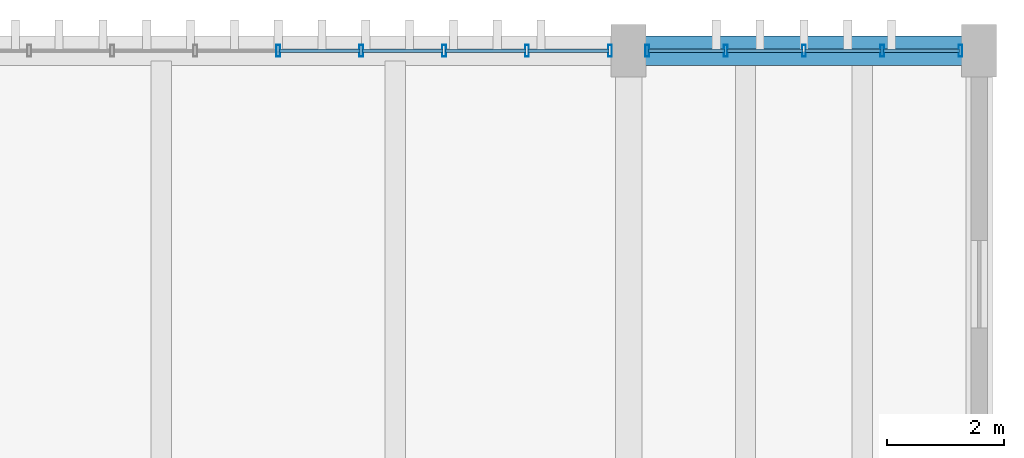
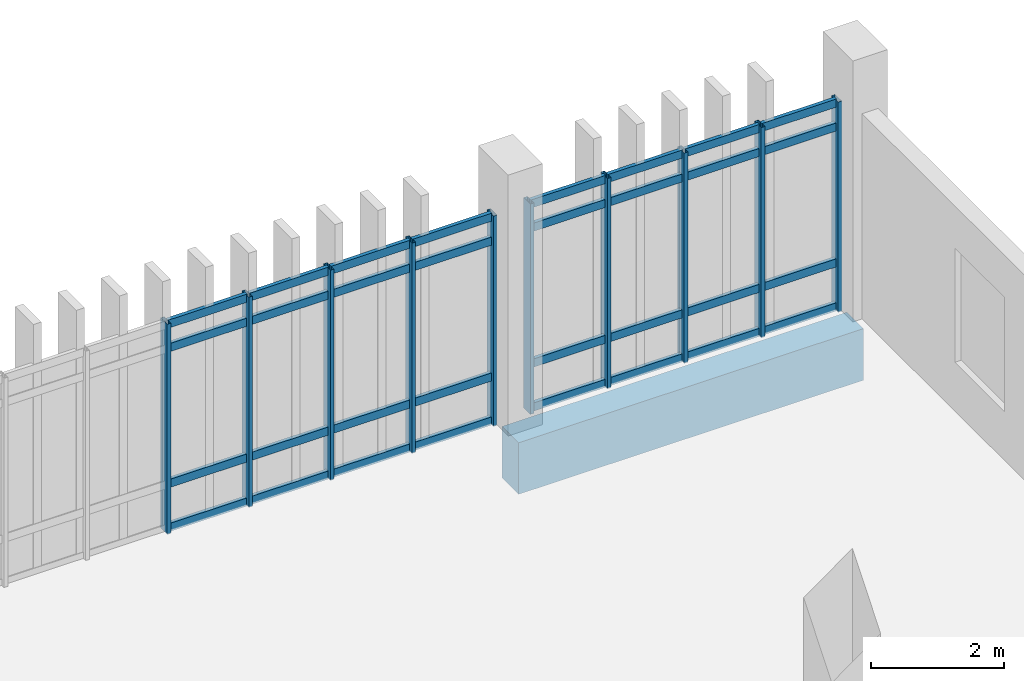
# One storey, part 59 of 87: 42 members, 1 beam, 2 elements without a shape of their own.
"""IFC4 building model written with IfcOpenShell, lengths in metres."""

import ifcopenshell
import ifcopenshell.guid

model = None  # the IFC model being written
_history = None  # IfcOwnerHistory: only IFC2X3 demands one
_inside = {}  # id of a spatial element -> (the spatial element, [elements in it])
_under = {}  # id of a project, library or spatial element -> (it, [spatial elements below it])
_declared = {}  # id of a project -> (the project, [libraries it declares])
_typed = {}  # id of a type object -> (the type object, [elements of that type])
_made_of = {}  # id of a material, layer set ... -> (it, [elements and type objects made of it])


def new_model(schema):
    """Start an empty IFC model of exactly this schema.

    Asked for "IFC4X3", IfcOpenShell would pick the latest addendum, in which some entities
    have other attributes; the version numbers below select the first issue.
    IFC2X3 requires an IfcOwnerHistory on every rooted entity: one is made here for all.
    """
    global model, _history
    if schema == "IFC4X3":
        model = ifcopenshell.file(schema_version=(4, 3, 0, 0))
    else:
        model = ifcopenshell.file(schema=schema)
    _inside.clear()
    _under.clear()
    _declared.clear()
    _typed.clear()
    _made_of.clear()
    _history = None
    if model.schema == "IFC2X3":
        org = make("IfcOrganization", Name="unknown")
        user = make(
            "IfcPersonAndOrganization",
            ThePerson=make("IfcPerson", FamilyName="unknown"),
            TheOrganization=org,
        )
        app = make(
            "IfcApplication",
            ApplicationDeveloper=org,
            Version="unknown",
            ApplicationFullName="unknown",
            ApplicationIdentifier="unknown",
        )
        _history = make(
            "IfcOwnerHistory",
            OwningUser=user,
            OwningApplication=app,
            ChangeAction="ADDED",
            CreationDate=0,
        )
    return model


def make(cls, **values):
    """One entity of the class cls with the attributes given. An attribute that is None is left unset."""
    return model.create_entity(
        cls, **{name: value for name, value in values.items() if value is not None}
    )


def rooted(cls, **values):
    """An entity with a GlobalId (a new one), such as an element, a storey or a relation."""
    return make(cls, GlobalId=ifcopenshell.guid.new(), OwnerHistory=_history, **values)


def si_unit(unit_type, name, prefix=None):
    """IfcSIUnit, for example si_unit("LENGTHUNIT", "METRE", prefix="MILLI")."""
    return make("IfcSIUnit", UnitType=unit_type, Prefix=prefix, Name=name)


def assignment(units):
    """IfcUnitAssignment: the units of a project."""
    return None if units is None else make("IfcUnitAssignment", Units=units)


def point(xyz):
    """IfcCartesianPoint."""
    return None if xyz is None else make("IfcCartesianPoint", Coordinates=xyz)


def direction(xyz):
    """IfcDirection."""
    return None if xyz is None else make("IfcDirection", DirectionRatios=xyz)


def frame(location, z_axis=None, x_axis=None):
    """IfcAxis2Placement3D, a coordinate frame: its origin and axes. An axis left out is left unset."""
    return make(
        "IfcAxis2Placement3D",
        Location=point(location),
        Axis=direction(z_axis),
        RefDirection=direction(x_axis),
    )


def frame_2d(location, x_axis=None):
    """IfcAxis2Placement2D, a coordinate frame in the plane: its origin and x axis."""
    return make(
        "IfcAxis2Placement2D", Location=point(location), RefDirection=direction(x_axis)
    )


def origin():
    """The frame at (0, 0, 0) with its axes left unset."""
    return frame((0.0, 0.0, 0.0))


def origin_2d():
    """The frame at (0, 0) in the plane with its x axis left unset."""
    return frame_2d((0.0, 0.0))


def place(relative_to, where):
    """IfcLocalPlacement: puts the frame where relative to a parent placement (None: the world)."""
    return make(
        "IfcLocalPlacement", PlacementRelTo=relative_to, RelativePlacement=where
    )


def context(
    kind, dimensions, precision=None, world=None, true_north=None, identifier=None
):
    """IfcGeometricRepresentationContext, for example the 3D "Model" context."""
    return make(
        "IfcGeometricRepresentationContext",
        ContextIdentifier=identifier,
        ContextType=kind,
        CoordinateSpaceDimension=dimensions,
        Precision=precision,
        WorldCoordinateSystem=world,
        TrueNorth=true_north,
    )


def subcontext(parent, identifier, kind, view, scale=None):
    """IfcGeometricRepresentationSubContext, for example "Body" below "Model"."""
    return make(
        "IfcGeometricRepresentationSubContext",
        ContextIdentifier=identifier,
        ContextType=kind,
        ParentContext=parent,
        TargetScale=scale,
        TargetView=view,
    )


def project(units=None, contexts=None):
    """IfcProject with its units and contexts."""
    return rooted(
        "IfcProject",
        Name="project",
        RepresentationContexts=contexts,
        UnitsInContext=assignment(units),
    )


def spatial(cls, under=None, at=None, **own):
    """A site, building, storey or space (cls), placed at a placement, below another one or the project."""
    s = rooted(cls, ObjectPlacement=at, **own)
    if under is not None:
        _under.setdefault(under.id(), (under, []))[1].append(s)
    return s


def profile(cls, at=None, kind="AREA", **sizes):
    """A parametric profile (cls). Its sizes go by their IFC names, for example OverallWidth=200.0."""
    return make(cls, ProfileType=kind, Position=at, **sizes)


def rectangle(**sizes):
    """IfcRectangleProfileDef."""
    return profile("IfcRectangleProfileDef", **sizes)


def hollow_rectangle(**sizes):
    """IfcRectangleHollowProfileDef."""
    return profile("IfcRectangleHollowProfileDef", **sizes)


def extrude(swept, where, along, depth):
    """IfcExtrudedAreaSolid: the profile swept, set in the frame where, extruded along a direction by depth."""
    return make(
        "IfcExtrudedAreaSolid",
        SweptArea=swept,
        Position=where,
        ExtrudedDirection=direction(along),
        Depth=depth,
    )


def shape(context_of_items, identifier, shape_type, items):
    """IfcShapeRepresentation: the items that make up one representation, for example the "Body"."""
    return make(
        "IfcShapeRepresentation",
        ContextOfItems=context_of_items,
        RepresentationIdentifier=identifier,
        RepresentationType=shape_type,
        Items=items,
    )


def material(Name=None, Category=None):
    """IfcMaterial."""
    return make("IfcMaterial", Name=Name, Category=Category)


def layer(
    of_material, thickness, ventilated=None, Name=None, Category=None, Priority=None
):
    """IfcMaterialLayer: one layer of a wall or slab, of a material (None: an air gap)."""
    return make(
        "IfcMaterialLayer",
        Material=of_material,
        LayerThickness=thickness,
        IsVentilated=ventilated,
        Name=Name,
        Category=Category,
        Priority=Priority,
    )


def layer_set(layers, Name=None):
    """IfcMaterialLayerSet."""
    return make("IfcMaterialLayerSet", MaterialLayers=layers, LayerSetName=Name)


def material_profile(
    of_material, cross_section, Name=None, Category=None, Priority=None
):
    """IfcMaterialProfile: a cross section and its material."""
    return make(
        "IfcMaterialProfile",
        Name=Name,
        Material=of_material,
        Profile=cross_section,
        Priority=Priority,
        Category=Category,
    )


def profile_set(profiles, Name=None, composite=None):
    """IfcMaterialProfileSet."""
    return make(
        "IfcMaterialProfileSet",
        Name=Name,
        MaterialProfiles=profiles,
        CompositeProfile=composite,
    )


def made_of(thing, what):
    """Note that an element or type object is made of a material, layer set ...; save() writes the relation."""
    if what is not None:
        _made_of.setdefault(what.id(), (what, []))[1].append(thing)
    return thing


def type_object(cls, material=None, **own):
    """A type object (cls), such as IfcWallType, which elements share."""
    return made_of(rooted(cls, **own), material)


def element(
    cls,
    number,
    at=None,
    inside=None,
    cuts=None,
    type_object=None,
    material=None,
    context=None,
    identifier="Body",
    shape_type=None,
    held_by="IfcProductDefinitionShape",
    body=None,
    shapes=None,
    **own,
):
    """One element of the class cls, such as IfcWall. Its Tag is "e" and its number.

    at: its placement. inside: the storey or other place that contains it. cuts: it is an
    opening in that element (IfcRelVoidsElement). A single representation is given by context,
    identifier, shape_type and body (its items); several are given by shapes. held_by: the class
    of the entity that holds the representations. save() writes the other relations.
    """
    e = rooted(cls, Tag="e%d" % number, ObjectPlacement=at, **own)
    if body is not None:
        shapes = [shape(context, identifier, shape_type, body)]
    if shapes is not None:
        e.Representation = make(held_by, Representations=shapes)
    if inside is not None:
        _inside.setdefault(inside.id(), (inside, []))[1].append(e)
    if cuts is not None:
        rooted(
            "IfcRelVoidsElement", RelatingBuildingElement=cuts, RelatedOpeningElement=e
        )
    if type_object is not None:
        _typed.setdefault(type_object.id(), (type_object, []))[1].append(e)
    return made_of(e, material)


def aggregate(whole, parts):
    """IfcRelAggregates: a whole, such as a stair, and the parts it consists of."""
    return rooted("IfcRelAggregates", RelatingObject=whole, RelatedObjects=parts)


def save(model, path):
    """Write the relations noted so far, then the file.

    IfcRelAggregates (storeys below a building ...), IfcRelContainedInSpatialStructure (elements
    in a storey), IfcRelDefinesByType, IfcRelAssociatesMaterial and IfcRelDeclares: one each for
    every whole, place, type object, material and project.
    """
    for whole, parts in _under.values():
        aggregate(whole, parts)
    for where, things in _inside.values():
        rooted(
            "IfcRelContainedInSpatialStructure",
            RelatedElements=things,
            RelatingStructure=where,
        )
    for kind, things in _typed.values():
        rooted("IfcRelDefinesByType", RelatedObjects=things, RelatingType=kind)
    for what, things in _made_of.values():
        rooted("IfcRelAssociatesMaterial", RelatedObjects=things, RelatingMaterial=what)
    for by, libraries in _declared.values():
        rooted("IfcRelDeclares", RelatingContext=by, RelatedDefinitions=libraries)
    model.write(path)


model = new_model("IFC4")

# Units and contexts
model_context = context("Model", 3, precision=1e-05, world=origin(), true_north=direction((0.0, 1.0)))
body_context = subcontext(model_context, "Body", "Model", "MODEL_VIEW")
ifc_project = project(units=[si_unit("LENGTHUNIT", "METRE"), si_unit("AREAUNIT", "SQUARE_METRE"), si_unit("VOLUMEUNIT", "CUBIC_METRE"), si_unit("PLANEANGLEUNIT", "RADIAN"), si_unit("MASSUNIT", "GRAM", prefix="KILO")], contexts=[model_context])

# Site, building, storey
site_placement = place(None, origin())
site = spatial("IfcSite", under=ifc_project, at=site_placement, CompositionType="ELEMENT")
building_placement = place(site_placement, origin())
building = spatial("IfcBuilding", under=site, at=building_placement, Name="Mersad Railyard Sports Hall", CompositionType="ELEMENT")
storey_placement = place(building_placement, origin())
storey = spatial("IfcBuildingStorey", under=building, at=storey_placement, Name="L00", CompositionType="ELEMENT", Elevation=0.0)

# Curtain wall, members
ifc_material_1 = material(Name="Aluminium 6063-T6", Category="aluminium")
ifc_layer_1 = layer(ifc_material_1, 0.199951171875)
ifc_layer_set_1 = layer_set([ifc_layer_1], Name="Aluminium 6063-T6")
curtain_wall_type_1 = type_object("IfcCurtainWallType", Name="ARC-CW-CW28", PredefinedType="USERDEFINED", material=ifc_layer_set_1)
curtain_wall_1_placement = place(storey_placement, origin())
curtain_wall_1 = element("IfcCurtainWall", 1, at=curtain_wall_1_placement, inside=storey, type_object=curtain_wall_type_1, Name="Curtain wall CW28-0088", ObjectType="CURTAIN WALL", PredefinedType="USERDEFINED")
ifc_material_profile_1 = material_profile(ifc_material_1, hollow_rectangle(XDim=0.06494140625, YDim=0.199951171875, WallThickness=0.0048828125, at=origin_2d()), Name="AL MULLION 65x200x5")
ifc_profile_set_1 = profile_set([ifc_material_profile_1], Name="Aluminium 6063-T6")
member_type_1 = type_object("IfcMemberType", Name="ARC-CW-MUL02", PredefinedType="MULLION", material=ifc_profile_set_1)
member_1_placement = place(storey_placement, frame((167.0, 115.0, -0.02001953125), z_axis=(0.0, 0.0, 1.0), x_axis=(1.0, 0.0, 0.0)))
member_1 = element("IfcMember", 2, at=member_1_placement, type_object=member_type_1, Name="CW28 Mullion 5", PredefinedType="MULLION", context=body_context, shape_type="SweptSolid", body=[
    extrude(hollow_rectangle(XDim=0.06494140625, YDim=0.199951171875, WallThickness=0.0048828125, at=origin_2d()), origin(), (0.0, 0.0, 1.0), 3.8701171875),
])
member_2_placement = place(storey_placement, frame((168.419921875, 115.0, -0.02001953125), z_axis=(0.0, 0.0, 1.0), x_axis=(1.0, 0.0, 0.0)))
member_2 = element("IfcMember", 3, at=member_2_placement, type_object=member_type_1, Name="CW28 Mullion 6", PredefinedType="MULLION", context=body_context, shape_type="SweptSolid", body=[
    extrude(hollow_rectangle(XDim=0.06494140625, YDim=0.199951171875, WallThickness=0.0048828125, at=origin_2d()), origin(), (0.0, 0.0, 1.0), 3.8701171875),
])
member_3_placement = place(storey_placement, frame((169.840087890625, 115.0, -0.02001953125), z_axis=(0.0, 0.0, 1.0), x_axis=(1.0, 0.0, 0.0)))
member_3 = element("IfcMember", 4, at=member_3_placement, type_object=member_type_1, Name="CW28 Mullion 7", PredefinedType="MULLION", context=body_context, shape_type="SweptSolid", body=[
    extrude(hollow_rectangle(XDim=0.06494140625, YDim=0.199951171875, WallThickness=0.0048828125, at=origin_2d()), origin(), (0.0, 0.0, 1.0), 3.8701171875),
])
member_4_placement = place(storey_placement, frame((171.260009765625, 115.0, -0.02001953125), z_axis=(0.0, 0.0, 1.0), x_axis=(1.0, 0.0, 0.0)))
member_4 = element("IfcMember", 5, at=member_4_placement, type_object=member_type_1, Name="CW28 Mullion 8", PredefinedType="MULLION", context=body_context, shape_type="SweptSolid", body=[
    extrude(hollow_rectangle(XDim=0.06494140625, YDim=0.199951171875, WallThickness=0.0048828125, at=origin_2d()), origin(), (0.0, 0.0, 1.0), 3.8701171875),
])
member_5_placement = place(storey_placement, frame((172.679931640625, 115.0, -0.02001953125), z_axis=(0.0, 0.0, 1.0), x_axis=(1.0, 0.0, 0.0)))
member_5 = element("IfcMember", 6, at=member_5_placement, type_object=member_type_1, Name="CW28 Mullion 9", PredefinedType="MULLION", context=body_context, shape_type="SweptSolid", body=[
    extrude(hollow_rectangle(XDim=0.06494140625, YDim=0.199951171875, WallThickness=0.0048828125, at=origin_2d()), origin(), (0.0, 0.0, 1.0), 3.8701171875),
])

ifc_layer_2 = layer(ifc_material_1, 0.199951171875)
ifc_layer_set_2 = layer_set([ifc_layer_2], Name="Aluminium 6063-T6")
curtain_wall_type_2 = type_object("IfcCurtainWallType", Name="ARC-CW-CW30", PredefinedType="USERDEFINED", material=ifc_layer_set_2)
curtain_wall_2_placement = place(storey_placement, origin())
curtain_wall_2 = element("IfcCurtainWall", 7, at=curtain_wall_2_placement, inside=storey, type_object=curtain_wall_type_2, Name="Curtain wall CW30-0089", ObjectType="CURTAIN WALL", PredefinedType="USERDEFINED")
member_6_placement = place(storey_placement, frame((173.320068359375, 115.0, -0.02001953125), z_axis=(0.0, 0.0, 1.0), x_axis=(1.0, 0.0, 0.0)))
member_6 = element("IfcMember", 8, at=member_6_placement, type_object=member_type_1, Name="CW30 Mullion 1", PredefinedType="MULLION", context=body_context, shape_type="SweptSolid", body=[
    extrude(hollow_rectangle(XDim=0.06494140625, YDim=0.199951171875, WallThickness=0.0048828125, at=origin_2d()), origin(), (0.0, 0.0, 1.0), 3.8701171875),
])
member_7_placement = place(storey_placement, frame((174.659912109375, 115.0, -0.02001953125), z_axis=(0.0, 0.0, 1.0), x_axis=(1.0, 0.0, 0.0)))
member_7 = element("IfcMember", 9, at=member_7_placement, type_object=member_type_1, Name="CW30 Mullion 2", PredefinedType="MULLION", context=body_context, shape_type="SweptSolid", body=[
    extrude(hollow_rectangle(XDim=0.06494140625, YDim=0.199951171875, WallThickness=0.0048828125, at=origin_2d()), origin(), (0.0, 0.0, 1.0), 3.8701171875),
])
member_8_placement = place(storey_placement, frame((176.0, 115.0, -0.02001953125), z_axis=(0.0, 0.0, 1.0), x_axis=(1.0, 0.0, 0.0)))
member_8 = element("IfcMember", 10, at=member_8_placement, type_object=member_type_1, Name="CW30 Mullion 3", PredefinedType="MULLION", context=body_context, shape_type="SweptSolid", body=[
    extrude(hollow_rectangle(XDim=0.06494140625, YDim=0.199951171875, WallThickness=0.0048828125, at=origin_2d()), origin(), (0.0, 0.0, 1.0), 3.8701171875),
])
member_9_placement = place(storey_placement, frame((177.340087890625, 115.0, -0.02001953125), z_axis=(0.0, 0.0, 1.0), x_axis=(1.0, 0.0, 0.0)))
member_9 = element("IfcMember", 11, at=member_9_placement, type_object=member_type_1, Name="CW30 Mullion 4", PredefinedType="MULLION", context=body_context, shape_type="SweptSolid", body=[
    extrude(hollow_rectangle(XDim=0.06494140625, YDim=0.199951171875, WallThickness=0.0048828125, at=origin_2d()), origin(), (0.0, 0.0, 1.0), 3.8701171875),
])
member_10_placement = place(storey_placement, frame((178.679931640625, 115.0, -0.02001953125), z_axis=(0.0, 0.0, 1.0), x_axis=(1.0, 0.0, 0.0)))
member_10 = element("IfcMember", 12, at=member_10_placement, type_object=member_type_1, Name="CW30 Mullion 5", PredefinedType="MULLION", context=body_context, shape_type="SweptSolid", body=[
    extrude(hollow_rectangle(XDim=0.06494140625, YDim=0.199951171875, WallThickness=0.0048828125, at=origin_2d()), origin(), (0.0, 0.0, 1.0), 3.8701171875),
])

# Member
ifc_material_profile_2 = material_profile(ifc_material_1, hollow_rectangle(XDim=0.06494140625, YDim=0.14990234375, WallThickness=0.00439453125, at=origin_2d()), Name="AL TRANSOM 65x150x4.5")
ifc_profile_set_2 = profile_set([ifc_material_profile_2], Name="Aluminium 6063-T6")
member_type_2 = type_object("IfcMemberType", Name="ARC-CW-TRN02", PredefinedType="USERDEFINED", material=ifc_profile_set_2)
member_11_placement = place(storey_placement, frame((167.02001953125, 115.0, 0.0400390625), z_axis=(1.0, 0.0, 0.0), x_axis=(0.0, 1.0, 0.0)))
member_11 = element("IfcMember", 13, at=member_11_placement, type_object=member_type_2, Name="CW28 Transom 1-5", ObjectType="TRANSOM", PredefinedType="USERDEFINED", context=body_context, shape_type="SweptSolid", body=[
    extrude(hollow_rectangle(XDim=0.06494140625, YDim=0.14990234375, WallThickness=0.00439453125, at=origin_2d()), origin(), (0.0, 0.0, 1.0), 1.3798828125),
])

member_12_placement = place(storey_placement, frame((168.43994140625, 115.0, 0.0400390625), z_axis=(1.0, 0.0, 0.0), x_axis=(0.0, 1.0, 0.0)))
member_12 = element("IfcMember", 14, at=member_12_placement, type_object=member_type_2, Name="CW28 Transom 1-6", ObjectType="TRANSOM", PredefinedType="USERDEFINED", context=body_context, shape_type="SweptSolid", body=[
    extrude(hollow_rectangle(XDim=0.06494140625, YDim=0.14990234375, WallThickness=0.00439453125, at=origin_2d()), origin(), (0.0, 0.0, 1.0), 1.380126953125),
])

member_13_placement = place(storey_placement, frame((169.860107421875, 115.0, 0.0400390625), z_axis=(1.0, 0.0, 0.0), x_axis=(0.0, 1.0, 0.0)))
member_13 = element("IfcMember", 15, at=member_13_placement, type_object=member_type_2, Name="CW28 Transom 1-7", ObjectType="TRANSOM", PredefinedType="USERDEFINED", context=body_context, shape_type="SweptSolid", body=[
    extrude(hollow_rectangle(XDim=0.06494140625, YDim=0.14990234375, WallThickness=0.00439453125, at=origin_2d()), origin(), (0.0, 0.0, 1.0), 1.3798828125),
])

member_14_placement = place(storey_placement, frame((171.280029296875, 115.0, 0.0400390625), z_axis=(1.0, 0.0, 0.0), x_axis=(0.0, 1.0, 0.0)))
member_14 = element("IfcMember", 16, at=member_14_placement, type_object=member_type_2, Name="CW28 Transom 1-8", ObjectType="TRANSOM", PredefinedType="USERDEFINED", context=body_context, shape_type="SweptSolid", body=[
    extrude(hollow_rectangle(XDim=0.06494140625, YDim=0.14990234375, WallThickness=0.00439453125, at=origin_2d()), origin(), (0.0, 0.0, 1.0), 1.3798828125),
])

member_15_placement = place(storey_placement, frame((167.02001953125, 115.0, 0.85009765625), z_axis=(1.0, 0.0, 0.0), x_axis=(0.0, 1.0, 0.0)))
member_15 = element("IfcMember", 17, at=member_15_placement, type_object=member_type_2, Name="CW28 Transom 2-5", ObjectType="TRANSOM", PredefinedType="USERDEFINED", context=body_context, shape_type="SweptSolid", body=[
    extrude(hollow_rectangle(XDim=0.06494140625, YDim=0.14990234375, WallThickness=0.00439453125, at=origin_2d()), origin(), (0.0, 0.0, 1.0), 1.3798828125),
])

member_16_placement = place(storey_placement, frame((168.43994140625, 115.0, 0.85009765625), z_axis=(1.0, 0.0, 0.0), x_axis=(0.0, 1.0, 0.0)))
member_16 = element("IfcMember", 18, at=member_16_placement, type_object=member_type_2, Name="CW28 Transom 2-6", ObjectType="TRANSOM", PredefinedType="USERDEFINED", context=body_context, shape_type="SweptSolid", body=[
    extrude(hollow_rectangle(XDim=0.06494140625, YDim=0.14990234375, WallThickness=0.00439453125, at=origin_2d()), origin(), (0.0, 0.0, 1.0), 1.380126953125),
])

member_17_placement = place(storey_placement, frame((169.860107421875, 115.0, 0.85009765625), z_axis=(1.0, 0.0, 0.0), x_axis=(0.0, 1.0, 0.0)))
member_17 = element("IfcMember", 19, at=member_17_placement, type_object=member_type_2, Name="CW28 Transom 2-7", ObjectType="TRANSOM", PredefinedType="USERDEFINED", context=body_context, shape_type="SweptSolid", body=[
    extrude(hollow_rectangle(XDim=0.06494140625, YDim=0.14990234375, WallThickness=0.00439453125, at=origin_2d()), origin(), (0.0, 0.0, 1.0), 1.3798828125),
])

member_18_placement = place(storey_placement, frame((171.280029296875, 115.0, 0.85009765625), z_axis=(1.0, 0.0, 0.0), x_axis=(0.0, 1.0, 0.0)))
member_18 = element("IfcMember", 20, at=member_18_placement, type_object=member_type_2, Name="CW28 Transom 2-8", ObjectType="TRANSOM", PredefinedType="USERDEFINED", context=body_context, shape_type="SweptSolid", body=[
    extrude(hollow_rectangle(XDim=0.06494140625, YDim=0.14990234375, WallThickness=0.00439453125, at=origin_2d()), origin(), (0.0, 0.0, 1.0), 1.3798828125),
])

member_19_placement = place(storey_placement, frame((167.02001953125, 115.0, 3.35009765625), z_axis=(1.0, 0.0, 0.0), x_axis=(0.0, 1.0, 0.0)))
member_19 = element("IfcMember", 21, at=member_19_placement, type_object=member_type_2, Name="CW28 Transom 3-5", ObjectType="TRANSOM", PredefinedType="USERDEFINED", context=body_context, shape_type="SweptSolid", body=[
    extrude(hollow_rectangle(XDim=0.06494140625, YDim=0.14990234375, WallThickness=0.00439453125, at=origin_2d()), origin(), (0.0, 0.0, 1.0), 1.3798828125),
])

member_20_placement = place(storey_placement, frame((168.43994140625, 115.0, 3.35009765625), z_axis=(1.0, 0.0, 0.0), x_axis=(0.0, 1.0, 0.0)))
member_20 = element("IfcMember", 22, at=member_20_placement, type_object=member_type_2, Name="CW28 Transom 3-6", ObjectType="TRANSOM", PredefinedType="USERDEFINED", context=body_context, shape_type="SweptSolid", body=[
    extrude(hollow_rectangle(XDim=0.06494140625, YDim=0.14990234375, WallThickness=0.00439453125, at=origin_2d()), origin(), (0.0, 0.0, 1.0), 1.380126953125),
])

member_21_placement = place(storey_placement, frame((169.860107421875, 115.0, 3.35009765625), z_axis=(1.0, 0.0, 0.0), x_axis=(0.0, 1.0, 0.0)))
member_21 = element("IfcMember", 23, at=member_21_placement, type_object=member_type_2, Name="CW28 Transom 3-7", ObjectType="TRANSOM", PredefinedType="USERDEFINED", context=body_context, shape_type="SweptSolid", body=[
    extrude(hollow_rectangle(XDim=0.06494140625, YDim=0.14990234375, WallThickness=0.00439453125, at=origin_2d()), origin(), (0.0, 0.0, 1.0), 1.3798828125),
])

member_22_placement = place(storey_placement, frame((171.280029296875, 115.0, 3.35009765625), z_axis=(1.0, 0.0, 0.0), x_axis=(0.0, 1.0, 0.0)))
member_22 = element("IfcMember", 24, at=member_22_placement, type_object=member_type_2, Name="CW28 Transom 3-8", ObjectType="TRANSOM", PredefinedType="USERDEFINED", context=body_context, shape_type="SweptSolid", body=[
    extrude(hollow_rectangle(XDim=0.06494140625, YDim=0.14990234375, WallThickness=0.00439453125, at=origin_2d()), origin(), (0.0, 0.0, 1.0), 1.3798828125),
])

member_23_placement = place(storey_placement, frame((167.02001953125, 115.0, 3.7900390625), z_axis=(1.0, 0.0, 0.0), x_axis=(0.0, 1.0, 0.0)))
member_23 = element("IfcMember", 25, at=member_23_placement, type_object=member_type_2, Name="CW28 Transom 4-5", ObjectType="TRANSOM", PredefinedType="USERDEFINED", context=body_context, shape_type="SweptSolid", body=[
    extrude(hollow_rectangle(XDim=0.06494140625, YDim=0.14990234375, WallThickness=0.00439453125, at=origin_2d()), origin(), (0.0, 0.0, 1.0), 1.3798828125),
])

member_24_placement = place(storey_placement, frame((168.43994140625, 115.0, 3.7900390625), z_axis=(1.0, 0.0, 0.0), x_axis=(0.0, 1.0, 0.0)))
member_24 = element("IfcMember", 26, at=member_24_placement, type_object=member_type_2, Name="CW28 Transom 4-6", ObjectType="TRANSOM", PredefinedType="USERDEFINED", context=body_context, shape_type="SweptSolid", body=[
    extrude(hollow_rectangle(XDim=0.06494140625, YDim=0.14990234375, WallThickness=0.00439453125, at=origin_2d()), origin(), (0.0, 0.0, 1.0), 1.380126953125),
])

member_25_placement = place(storey_placement, frame((169.860107421875, 115.0, 3.7900390625), z_axis=(1.0, 0.0, 0.0), x_axis=(0.0, 1.0, 0.0)))
member_25 = element("IfcMember", 27, at=member_25_placement, type_object=member_type_2, Name="CW28 Transom 4-7", ObjectType="TRANSOM", PredefinedType="USERDEFINED", context=body_context, shape_type="SweptSolid", body=[
    extrude(hollow_rectangle(XDim=0.06494140625, YDim=0.14990234375, WallThickness=0.00439453125, at=origin_2d()), origin(), (0.0, 0.0, 1.0), 1.3798828125),
])

member_26_placement = place(storey_placement, frame((171.280029296875, 115.0, 3.7900390625), z_axis=(1.0, 0.0, 0.0), x_axis=(0.0, 1.0, 0.0)))
member_26 = element("IfcMember", 28, at=member_26_placement, type_object=member_type_2, Name="CW28 Transom 4-8", ObjectType="TRANSOM", PredefinedType="USERDEFINED", context=body_context, shape_type="SweptSolid", body=[
    extrude(hollow_rectangle(XDim=0.06494140625, YDim=0.14990234375, WallThickness=0.00439453125, at=origin_2d()), origin(), (0.0, 0.0, 1.0), 1.3798828125),
])

aggregate(curtain_wall_1, [member_1, member_2, member_3, member_4, member_5, member_11, member_12, member_13, member_14, member_15, member_16, member_17, member_18, member_19, member_20, member_21, member_22, member_23, member_24, member_25, member_26])

member_27_placement = place(storey_placement, frame((173.340087890625, 115.0, 0.0400390625), z_axis=(1.0, 0.0, 0.0), x_axis=(0.0, 1.0, 0.0)))
member_27 = element("IfcMember", 29, at=member_27_placement, type_object=member_type_2, Name="CW30 Transom 1-1", ObjectType="TRANSOM", PredefinedType="USERDEFINED", context=body_context, shape_type="SweptSolid", body=[
    extrude(hollow_rectangle(XDim=0.06494140625, YDim=0.14990234375, WallThickness=0.00439453125, at=origin_2d()), origin(), (0.0, 0.0, 1.0), 1.2998046875),
])

member_28_placement = place(storey_placement, frame((174.679931640625, 115.0, 0.0400390625), z_axis=(1.0, 0.0, 0.0), x_axis=(0.0, 1.0, 0.0)))
member_28 = element("IfcMember", 30, at=member_28_placement, type_object=member_type_2, Name="CW30 Transom 1-2", ObjectType="TRANSOM", PredefinedType="USERDEFINED", context=body_context, shape_type="SweptSolid", body=[
    extrude(hollow_rectangle(XDim=0.06494140625, YDim=0.14990234375, WallThickness=0.00439453125, at=origin_2d()), origin(), (0.0, 0.0, 1.0), 1.300048828125),
])

member_29_placement = place(storey_placement, frame((176.02001953125, 115.0, 0.0400390625), z_axis=(1.0, 0.0, 0.0), x_axis=(0.0, 1.0, 0.0)))
member_29 = element("IfcMember", 31, at=member_29_placement, type_object=member_type_2, Name="CW30 Transom 1-3", ObjectType="TRANSOM", PredefinedType="USERDEFINED", context=body_context, shape_type="SweptSolid", body=[
    extrude(hollow_rectangle(XDim=0.06494140625, YDim=0.14990234375, WallThickness=0.00439453125, at=origin_2d()), origin(), (0.0, 0.0, 1.0), 1.300048828125),
])

member_30_placement = place(storey_placement, frame((177.360107421875, 115.0, 0.0400390625), z_axis=(1.0, 0.0, 0.0), x_axis=(0.0, 1.0, 0.0)))
member_30 = element("IfcMember", 32, at=member_30_placement, type_object=member_type_2, Name="CW30 Transom 1-4", ObjectType="TRANSOM", PredefinedType="USERDEFINED", context=body_context, shape_type="SweptSolid", body=[
    extrude(hollow_rectangle(XDim=0.06494140625, YDim=0.14990234375, WallThickness=0.00439453125, at=origin_2d()), origin(), (0.0, 0.0, 1.0), 1.2998046875),
])

member_31_placement = place(storey_placement, frame((173.340087890625, 115.0, 0.85009765625), z_axis=(1.0, 0.0, 0.0), x_axis=(0.0, 1.0, 0.0)))
member_31 = element("IfcMember", 33, at=member_31_placement, type_object=member_type_2, Name="CW30 Transom 2-1", ObjectType="TRANSOM", PredefinedType="USERDEFINED", context=body_context, shape_type="SweptSolid", body=[
    extrude(hollow_rectangle(XDim=0.06494140625, YDim=0.14990234375, WallThickness=0.00439453125, at=origin_2d()), origin(), (0.0, 0.0, 1.0), 1.2998046875),
])

member_32_placement = place(storey_placement, frame((174.679931640625, 115.0, 0.85009765625), z_axis=(1.0, 0.0, 0.0), x_axis=(0.0, 1.0, 0.0)))
member_32 = element("IfcMember", 34, at=member_32_placement, type_object=member_type_2, Name="CW30 Transom 2-2", ObjectType="TRANSOM", PredefinedType="USERDEFINED", context=body_context, shape_type="SweptSolid", body=[
    extrude(hollow_rectangle(XDim=0.06494140625, YDim=0.14990234375, WallThickness=0.00439453125, at=origin_2d()), origin(), (0.0, 0.0, 1.0), 1.300048828125),
])

member_33_placement = place(storey_placement, frame((176.02001953125, 115.0, 0.85009765625), z_axis=(1.0, 0.0, 0.0), x_axis=(0.0, 1.0, 0.0)))
member_33 = element("IfcMember", 35, at=member_33_placement, type_object=member_type_2, Name="CW30 Transom 2-3", ObjectType="TRANSOM", PredefinedType="USERDEFINED", context=body_context, shape_type="SweptSolid", body=[
    extrude(hollow_rectangle(XDim=0.06494140625, YDim=0.14990234375, WallThickness=0.00439453125, at=origin_2d()), origin(), (0.0, 0.0, 1.0), 1.300048828125),
])

member_34_placement = place(storey_placement, frame((177.360107421875, 115.0, 0.85009765625), z_axis=(1.0, 0.0, 0.0), x_axis=(0.0, 1.0, 0.0)))
member_34 = element("IfcMember", 36, at=member_34_placement, type_object=member_type_2, Name="CW30 Transom 2-4", ObjectType="TRANSOM", PredefinedType="USERDEFINED", context=body_context, shape_type="SweptSolid", body=[
    extrude(hollow_rectangle(XDim=0.06494140625, YDim=0.14990234375, WallThickness=0.00439453125, at=origin_2d()), origin(), (0.0, 0.0, 1.0), 1.2998046875),
])

member_35_placement = place(storey_placement, frame((173.340087890625, 115.0, 3.35009765625), z_axis=(1.0, 0.0, 0.0), x_axis=(0.0, 1.0, 0.0)))
member_35 = element("IfcMember", 37, at=member_35_placement, type_object=member_type_2, Name="CW30 Transom 3-1", ObjectType="TRANSOM", PredefinedType="USERDEFINED", context=body_context, shape_type="SweptSolid", body=[
    extrude(hollow_rectangle(XDim=0.06494140625, YDim=0.14990234375, WallThickness=0.00439453125, at=origin_2d()), origin(), (0.0, 0.0, 1.0), 1.2998046875),
])

member_36_placement = place(storey_placement, frame((174.679931640625, 115.0, 3.35009765625), z_axis=(1.0, 0.0, 0.0), x_axis=(0.0, 1.0, 0.0)))
member_36 = element("IfcMember", 38, at=member_36_placement, type_object=member_type_2, Name="CW30 Transom 3-2", ObjectType="TRANSOM", PredefinedType="USERDEFINED", context=body_context, shape_type="SweptSolid", body=[
    extrude(hollow_rectangle(XDim=0.06494140625, YDim=0.14990234375, WallThickness=0.00439453125, at=origin_2d()), origin(), (0.0, 0.0, 1.0), 1.300048828125),
])

member_37_placement = place(storey_placement, frame((176.02001953125, 115.0, 3.35009765625), z_axis=(1.0, 0.0, 0.0), x_axis=(0.0, 1.0, 0.0)))
member_37 = element("IfcMember", 39, at=member_37_placement, type_object=member_type_2, Name="CW30 Transom 3-3", ObjectType="TRANSOM", PredefinedType="USERDEFINED", context=body_context, shape_type="SweptSolid", body=[
    extrude(hollow_rectangle(XDim=0.06494140625, YDim=0.14990234375, WallThickness=0.00439453125, at=origin_2d()), origin(), (0.0, 0.0, 1.0), 1.300048828125),
])

member_38_placement = place(storey_placement, frame((177.360107421875, 115.0, 3.35009765625), z_axis=(1.0, 0.0, 0.0), x_axis=(0.0, 1.0, 0.0)))
member_38 = element("IfcMember", 40, at=member_38_placement, type_object=member_type_2, Name="CW30 Transom 3-4", ObjectType="TRANSOM", PredefinedType="USERDEFINED", context=body_context, shape_type="SweptSolid", body=[
    extrude(hollow_rectangle(XDim=0.06494140625, YDim=0.14990234375, WallThickness=0.00439453125, at=origin_2d()), origin(), (0.0, 0.0, 1.0), 1.2998046875),
])

member_39_placement = place(storey_placement, frame((173.340087890625, 115.0, 3.7900390625), z_axis=(1.0, 0.0, 0.0), x_axis=(0.0, 1.0, 0.0)))
member_39 = element("IfcMember", 41, at=member_39_placement, type_object=member_type_2, Name="CW30 Transom 4-1", ObjectType="TRANSOM", PredefinedType="USERDEFINED", context=body_context, shape_type="SweptSolid", body=[
    extrude(hollow_rectangle(XDim=0.06494140625, YDim=0.14990234375, WallThickness=0.00439453125, at=origin_2d()), origin(), (0.0, 0.0, 1.0), 1.2998046875),
])

member_40_placement = place(storey_placement, frame((174.679931640625, 115.0, 3.7900390625), z_axis=(1.0, 0.0, 0.0), x_axis=(0.0, 1.0, 0.0)))
member_40 = element("IfcMember", 42, at=member_40_placement, type_object=member_type_2, Name="CW30 Transom 4-2", ObjectType="TRANSOM", PredefinedType="USERDEFINED", context=body_context, shape_type="SweptSolid", body=[
    extrude(hollow_rectangle(XDim=0.06494140625, YDim=0.14990234375, WallThickness=0.00439453125, at=origin_2d()), origin(), (0.0, 0.0, 1.0), 1.300048828125),
])

member_41_placement = place(storey_placement, frame((176.02001953125, 115.0, 3.7900390625), z_axis=(1.0, 0.0, 0.0), x_axis=(0.0, 1.0, 0.0)))
member_41 = element("IfcMember", 43, at=member_41_placement, type_object=member_type_2, Name="CW30 Transom 4-3", ObjectType="TRANSOM", PredefinedType="USERDEFINED", context=body_context, shape_type="SweptSolid", body=[
    extrude(hollow_rectangle(XDim=0.06494140625, YDim=0.14990234375, WallThickness=0.00439453125, at=origin_2d()), origin(), (0.0, 0.0, 1.0), 1.300048828125),
])

member_42_placement = place(storey_placement, frame((177.360107421875, 115.0, 3.7900390625), z_axis=(1.0, 0.0, 0.0), x_axis=(0.0, 1.0, 0.0)))
member_42 = element("IfcMember", 44, at=member_42_placement, type_object=member_type_2, Name="CW30 Transom 4-4", ObjectType="TRANSOM", PredefinedType="USERDEFINED", context=body_context, shape_type="SweptSolid", body=[
    extrude(hollow_rectangle(XDim=0.06494140625, YDim=0.14990234375, WallThickness=0.00439453125, at=origin_2d()), origin(), (0.0, 0.0, 1.0), 1.2998046875),
])

aggregate(curtain_wall_2, [member_6, member_7, member_8, member_9, member_10, member_27, member_28, member_29, member_30, member_31, member_32, member_33, member_34, member_35, member_36, member_37, member_38, member_39, member_40, member_41, member_42])

# Beam
ifc_material_2 = material(Name="Concrete C50/60", Category="concrete")
ifc_material_profile_3 = material_profile(ifc_material_2, rectangle(XDim=0.5, YDim=0.949951171875, at=origin_2d()), Name="RC 500x950")
ifc_profile_set_3 = profile_set([ifc_material_profile_3], Name="Concrete C50/60")
beam_type = type_object("IfcBeamType", Name="STR-BM-B03", PredefinedType="BEAM", material=ifc_profile_set_3)
beam_placement = place(storey_placement, frame((173.0, 115.0, -0.824951171875), z_axis=(1.0, 0.0, 0.0), x_axis=(0.0, 1.0, 0.0)))
element("IfcBeam", 45, at=beam_placement, inside=storey, type_object=beam_type, Name="Beam B03-0212", PredefinedType="BEAM", context=body_context, shape_type="SweptSolid", body=[
    extrude(rectangle(XDim=0.5, YDim=0.949951171875, at=origin_2d()), origin(), (0.0, 0.0, 1.0), 6.0),
])

save(model, "model.ifc")
